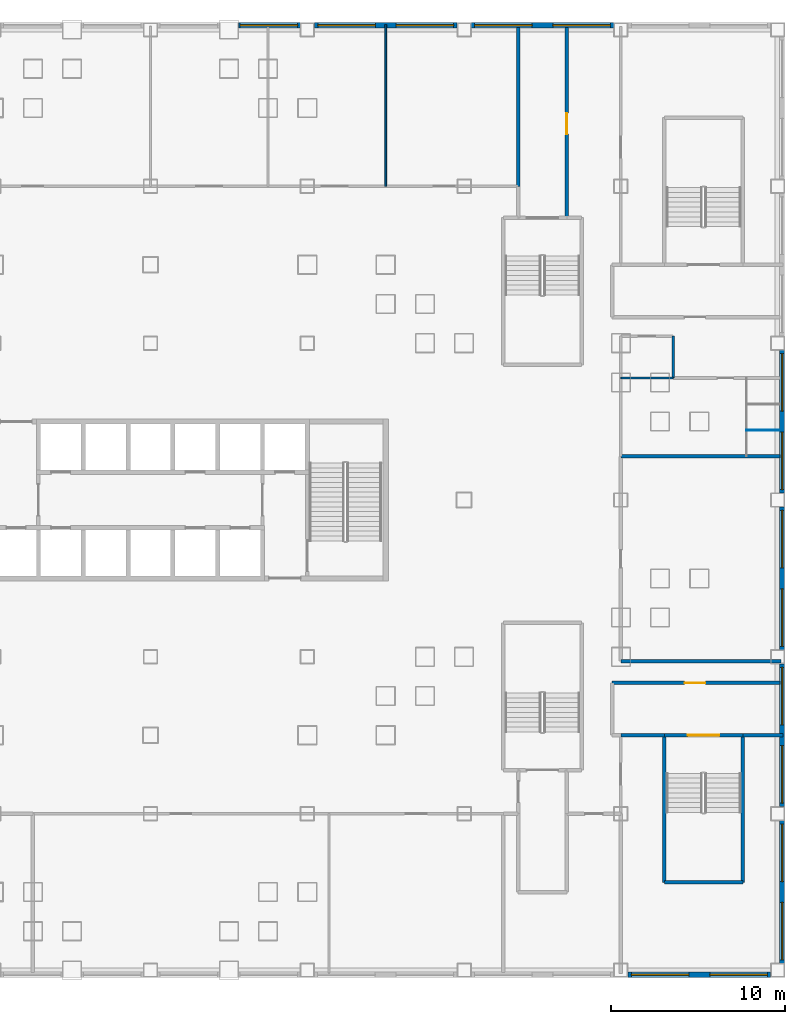
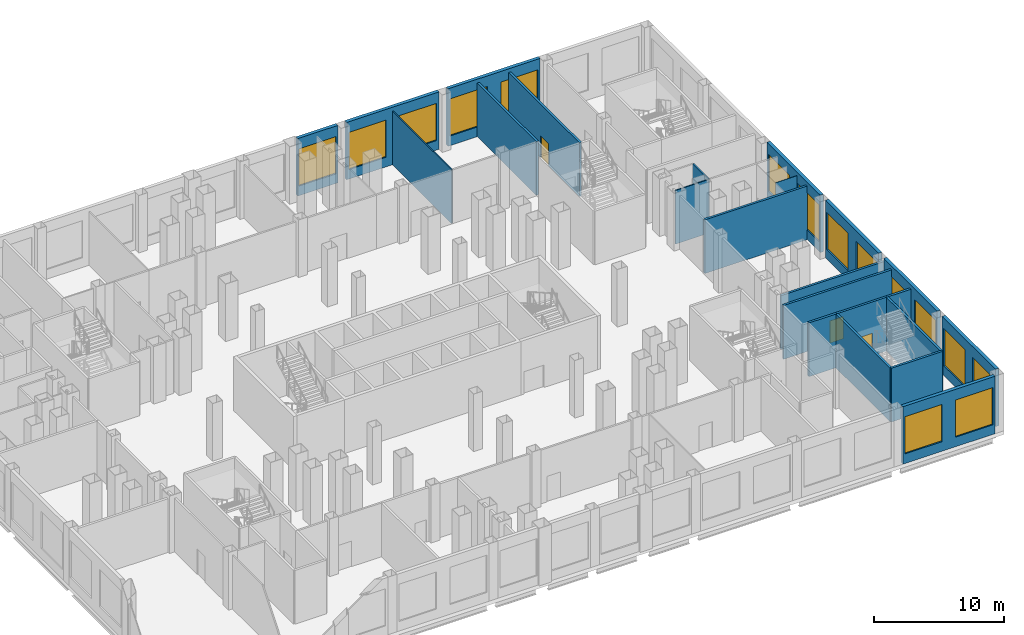
# One storey, part 7 of 26: 23 walls, 15 windows, 3 doors, 18 openings.
"""IFC4 building model written with IfcOpenShell, lengths in metres."""

from ifc_helpers import new_model, si_unit, direction, frame, frame_2d, origin, place, context, subcontext, project, spatial, rectangle, extrude, material, layer, layer_set, type_object, element, fill, save


model = new_model("IFC4")

# Units and contexts
model_context = context("Model", 3, precision=1e-05, world=origin(), true_north=direction((0.0, 1.0)))
body_context = subcontext(model_context, "Body", "Model", "MODEL_VIEW")
ifc_project = project(units=[si_unit("LENGTHUNIT", "METRE"), si_unit("AREAUNIT", "SQUARE_METRE"), si_unit("VOLUMEUNIT", "CUBIC_METRE"), si_unit("PLANEANGLEUNIT", "RADIAN"), si_unit("MASSUNIT", "GRAM", prefix="KILO")], contexts=[model_context])

# Site, building, storey
site_placement = place(None, origin())
site = spatial("IfcSite", under=ifc_project, at=site_placement, CompositionType="ELEMENT")
building_placement = place(site_placement, origin())
building = spatial("IfcBuilding", under=site, at=building_placement, Name="Caravel Reach Hotel and Residences", CompositionType="ELEMENT")
storey_placement = place(building_placement, frame((0.0, 0.0, 12.0)))
storey = spatial("IfcBuildingStorey", under=building, at=storey_placement, Name="L02", CompositionType="ELEMENT", Elevation=12.0)

# Walls
ifc_material_1 = material(Name="Autoclaved aerated block wall")
ifc_layer_1 = layer(ifc_material_1, 0.199951171875)
ifc_layer_set_1 = layer_set([ifc_layer_1], Name="Compartment wall 200 mm EI 120")
wall_type_1 = type_object("IfcWallType", Name="Compartment wall 200 mm EI 120", PredefinedType="PARTITIONING", material=ifc_layer_set_1)
wall_1_placement = place(storey_placement, frame((58.5, 13.5, 0.0), z_axis=(0.0, 0.0, 1.0), x_axis=(1.0, 0.0, 0.0)))
element("IfcWall", 1, at=wall_1_placement, inside=storey, type_object=wall_type_1, Name="L02 wall w038", PredefinedType="PARTITIONING", context=body_context, shape_type="SweptSolid", body=[
    extrude(rectangle(XDim=2.5, YDim=0.199951171875, at=frame_2d((1.25, 0.0))), origin(), (0.0, 0.0, 1.0), 5.050048828125),
])
wall_2_placement = place(storey_placement, frame((65.5, 13.5, 0.0), z_axis=(0.0, 0.0, 1.0), x_axis=(1.0, 0.0, 0.0)))
element("IfcWall", 2, at=wall_2_placement, inside=storey, type_object=wall_type_1, Name="L02 wall w039", PredefinedType="PARTITIONING", context=body_context, shape_type="SweptSolid", body=[
    extrude(rectangle(XDim=2.2900390625, YDim=0.199951171875, at=frame_2d((1.14501953125, 0.0))), origin(), (0.0, 0.0, 1.0), 5.050048828125),
])

# Wall, opening, door
wall_3_placement = place(storey_placement, frame((58.0, 16.5, 0.0), z_axis=(0.0, 0.0, 1.0), x_axis=(1.0, 0.0, 0.0)))
wall_3 = element("IfcWall", 3, at=wall_3_placement, inside=storey, type_object=wall_type_1, Name="L02 wall w040", PredefinedType="PARTITIONING", context=body_context, shape_type="SweptSolid", body=[
    extrude(rectangle(XDim=9.6201171875, YDim=0.199951171875, at=frame_2d((4.81005859375, 0.0))), origin(), (0.0, 0.0, 1.0), 5.050048828125),
])
opening_1_placement = place(wall_3_placement, frame((4.14990234375, 0.0, 0.0)))
opening_1 = element("IfcOpeningElement", 4, at=opening_1_placement, cuts=wall_3, Name="Opening D02-026", PredefinedType="OPENING", context=body_context, shape_type="SweptSolid", body=[
    extrude(rectangle(XDim=1.199951171875, YDim=2.10009765625, at=frame_2d((0.60009765625, 1.050048828125))), frame((0.0, 0.10986328125, 0.0), z_axis=(0.0, -1.0, 0.0), x_axis=(1.0, 0.0, 0.0)), (0.0, 0.0, 1.0), 0.219970703125),
])
ifc_material_2 = material(Name="Steel fire door leaf", Category="steel")
door_type_1 = type_object("IfcDoorType", Name="Fire lobby door 1200 x 2100 EI 90", OperationType="SINGLE_SWING_LEFT", PredefinedType="DOOR", material=ifc_material_2)
door_1_placement = place(opening_1_placement, origin())
door_1 = element("IfcDoor", 5, at=door_1_placement, inside=storey, type_object=door_type_1, Name="door D02-026", OperationType="SINGLE_SWING_LEFT", OverallHeight=2.10009765625, OverallWidth=1.199951171875, PredefinedType="DOOR", context=body_context, shape_type="SweptSolid", body=[
    extrude(rectangle(XDim=1.199951171875, YDim=2.10009765625, at=frame_2d((0.60009765625, 1.050048828125))), frame((0.0, 0.02490234375, 0.0), z_axis=(0.0, -1.0, 0.0), x_axis=(1.0, 0.0, 0.0)), (0.0, 0.0, 1.0), 0.050048828125),
])
fill(opening_1, door_1)

# Walls
wall_4_placement = place(storey_placement, frame((58.5, 17.75, 0.0), z_axis=(0.0, 0.0, 1.0), x_axis=(1.0, 0.0, 0.0)))
element("IfcWall", 6, at=wall_4_placement, inside=storey, type_object=wall_type_1, Name="L02 wall w042", PredefinedType="PARTITIONING", context=body_context, shape_type="SweptSolid", body=[
    extrude(rectangle(XDim=9.18994140625, YDim=0.199951171875, at=frame_2d((4.594970703125, 0.0))), origin(), (0.0, 0.0, 1.0), 5.050048828125),
])
for number, where, z_axis, x_axis, name in (
    (7, (58.5, 29.5, 0.0), (0.0, 0.0, 1.0), (1.0, 0.0, 0.0), "L02 wall w044"),
    (8, (52.60009765625, 45.0, 0.0), (0.0, 0.0, 1.0), (0.0, 1.0, 0.0), "L02 wall w068"),
):
    element("IfcWall", number, at=place(storey_placement, frame(where, z_axis=z_axis, x_axis=x_axis)), inside=storey, type_object=wall_type_1, Name=name, PredefinedType="PARTITIONING", context=body_context, shape_type="SweptSolid", body=[
        extrude(rectangle(XDim=9.1201171875, YDim=0.199951171875, at=frame_2d((4.56005859375, 0.0))), origin(), (0.0, 0.0, 1.0), 5.050048828125),
    ])

# Wall, opening, door
wall_5_placement = place(storey_placement, frame((55.39990234375, 43.199951171875, 0.0), z_axis=(0.0, 0.0, 1.0), x_axis=(0.0, 1.0, 0.0)))
wall_5 = element("IfcWall", 9, at=wall_5_placement, inside=storey, type_object=wall_type_1, Name="L02 wall w071", PredefinedType="PARTITIONING", context=body_context, shape_type="SweptSolid", body=[
    extrude(rectangle(XDim=10.920166015625, YDim=0.199951171875, at=frame_2d((5.4599609375, 0.0))), origin(), (0.0, 0.0, 1.0), 5.050048828125),
])
opening_2_placement = place(wall_5_placement, frame((4.800048828125, 0.0, 0.0)))
opening_2 = element("IfcOpeningElement", 10, at=opening_2_placement, cuts=wall_5, Name="Opening D02-016", PredefinedType="OPENING", context=body_context, shape_type="SweptSolid", body=[
    extrude(rectangle(XDim=1.199951171875, YDim=2.10009765625, at=frame_2d((0.60009765625, 1.050048828125))), frame((0.0, 0.10986328125, 0.0), z_axis=(0.0, -1.0, 0.0), x_axis=(1.0, 0.0, 0.0)), (0.0, 0.0, 1.0), 0.219970703125),
])
door_2_placement = place(opening_2_placement, origin())
door_2 = element("IfcDoor", 11, at=door_2_placement, inside=storey, type_object=door_type_1, Name="door D02-016", OperationType="SINGLE_SWING_RIGHT", OverallHeight=2.10009765625, OverallWidth=1.199951171875, PredefinedType="DOOR", context=body_context, shape_type="SweptSolid", body=[
    extrude(rectangle(XDim=1.199951171875, YDim=2.10009765625, at=frame_2d((0.60009765625, 1.050048828125))), frame((0.0, 0.02490234375, 0.0), z_axis=(0.0, -1.0, 0.0), x_axis=(1.0, 0.0, 0.0)), (0.0, 0.0, 1.0), 0.050048828125),
])
fill(opening_2, door_2)

# Wall
ifc_material_3 = material(Name="Gypsum board on steel stud, fire-rated", Category="steel")
ifc_layer_2 = layer(ifc_material_3, 0.14990234375)
ifc_layer_set_2 = layer_set([ifc_layer_2], Name="Corridor wall 150 mm EI 60")
wall_type_2 = type_object("IfcWallType", Name="Corridor wall 150 mm EI 60", PredefinedType="PARTITIONING", material=ifc_layer_set_2)
wall_6_placement = place(storey_placement, frame((61.5, 34.0, 0.0), z_axis=(0.0, 0.0, 1.0), x_axis=(0.0, 1.0, 0.0)))
element("IfcWall", 12, at=wall_6_placement, inside=storey, type_object=wall_type_2, Name="L02 wall w026", PredefinedType="PARTITIONING", context=body_context, shape_type="SweptSolid", body=[
    extrude(rectangle(XDim=2.39990234375, YDim=0.14990234375, at=frame_2d((1.199951171875, 0.0))), origin(), (0.0, 0.0, 1.0), 5.050048828125),
])

# Wall, openings, windows
ifc_material_4 = material(Name="Insulated wall, stone cladding", Category="masonry")
ifc_layer_3 = layer(ifc_material_4, 0.300048828125)
ifc_layer_set_3 = layer_set([ifc_layer_3], Name="EW2 Podium stone-clad wall")
wall_type_3 = type_object("IfcWallType", Name="EW2 Podium stone-clad wall", PredefinedType="SOLIDWALL", material=ifc_layer_set_3)
wall_7_placement = place(storey_placement, frame((67.75, 0.39990234375, 0.0), z_axis=(0.0, 0.0, 1.0), x_axis=(0.0, 1.0, 0.0)))
wall_7 = element("IfcWall", 13, at=wall_7_placement, inside=storey, type_object=wall_type_3, Name="External wall L02 E1.1", PredefinedType="SOLIDWALL", context=body_context, shape_type="SweptSolid", body=[
    extrude(rectangle(XDim=8.2001953125, YDim=0.300048828125, at=frame_2d((4.10009765625, 0.0))), origin(), (0.0, 0.0, 1.0), 5.39990234375),
])
opening_3_placement = place(wall_7_placement, frame((0.199951171875, 0.0, 0.89990234375)))
opening_3 = element("IfcOpeningElement", 14, at=opening_3_placement, cuts=wall_7, Name="Opening WN30", PredefinedType="OPENING", context=body_context, shape_type="SweptSolid", body=[
    extrude(rectangle(XDim=3.300048828125, YDim=3.5, at=frame_2d((1.64990234375, 1.75))), frame((0.0, 0.159912109375, 0.0), z_axis=(0.0, -1.0, 0.0), x_axis=(1.0, 0.0, 0.0)), (0.0, 0.0, 1.0), 0.320068359375),
])
opening_4_placement = place(wall_7_placement, frame((4.699951171875, 0.0, 0.89990234375)))
opening_4 = element("IfcOpeningElement", 15, at=opening_4_placement, cuts=wall_7, Name="Opening WN30", PredefinedType="OPENING", context=body_context, shape_type="SweptSolid", body=[
    extrude(rectangle(XDim=3.300048828125, YDim=3.5, at=frame_2d((1.64990234375, 1.75))), frame((0.0, 0.159912109375, 0.0), z_axis=(0.0, -1.0, 0.0), x_axis=(1.0, 0.0, 0.0)), (0.0, 0.0, 1.0), 0.320068359375),
])
ifc_material_5 = material(Name="Dark low-e glazing in black aluminium frame", Category="aluminium")
window_type = type_object("IfcWindowType", Name="Podium window 3300 x 3500", PartitioningType="SINGLE_PANEL", PredefinedType="WINDOW", material=ifc_material_5)
window_1_placement = place(opening_3_placement, origin())
window_1 = element("IfcWindow", 16, at=window_1_placement, inside=storey, type_object=window_type, Name="Window L02 E1.1.1", OverallHeight=3.5, OverallWidth=3.300048828125, PartitioningType="SINGLE_PANEL", PredefinedType="WINDOW", context=body_context, shape_type="SweptSolid", body=[
    extrude(rectangle(XDim=3.300048828125, YDim=3.5, at=frame_2d((1.64990234375, 1.75))), frame((0.0, 0.030029296875, 0.0), z_axis=(0.0, -1.0, 0.0), x_axis=(1.0, 0.0, 0.0)), (0.0, 0.0, 1.0), 0.06005859375),
])
fill(opening_3, window_1)
window_2_placement = place(opening_4_placement, origin())
window_2 = element("IfcWindow", 17, at=window_2_placement, inside=storey, type_object=window_type, Name="Window L02 E1.1.2", OverallHeight=3.5, OverallWidth=3.300048828125, PartitioningType="SINGLE_PANEL", PredefinedType="WINDOW", context=body_context, shape_type="SweptSolid", body=[
    extrude(rectangle(XDim=3.300048828125, YDim=3.5, at=frame_2d((1.64990234375, 1.75))), frame((0.0, 0.030029296875, 0.0), z_axis=(0.0, -1.0, 0.0), x_axis=(1.0, 0.0, 0.0)), (0.0, 0.0, 1.0), 0.06005859375),
])
fill(opening_4, window_2)

wall_8_placement = place(storey_placement, frame((67.75, 9.39990234375, 0.0), z_axis=(0.0, 0.0, 1.0), x_axis=(0.0, 1.0, 0.0)))
wall_8 = element("IfcWall", 18, at=wall_8_placement, inside=storey, type_object=wall_type_3, Name="External wall L02 E1.2", PredefinedType="SOLIDWALL", context=body_context, shape_type="SweptSolid", body=[
    extrude(rectangle(XDim=8.2001953125, YDim=0.300048828125, at=frame_2d((4.10009765625, 0.0))), origin(), (0.0, 0.0, 1.0), 5.39990234375),
])
opening_5_placement = place(wall_8_placement, frame((0.199951171875, 0.0, 0.89990234375)))
opening_5 = element("IfcOpeningElement", 19, at=opening_5_placement, cuts=wall_8, Name="Opening WN30", PredefinedType="OPENING", context=body_context, shape_type="SweptSolid", body=[
    extrude(rectangle(XDim=3.300048828125, YDim=3.5, at=frame_2d((1.64990234375, 1.75))), frame((0.0, 0.159912109375, 0.0), z_axis=(0.0, -1.0, 0.0), x_axis=(1.0, 0.0, 0.0)), (0.0, 0.0, 1.0), 0.320068359375),
])
opening_6_placement = place(wall_8_placement, frame((4.699951171875, 0.0, 0.89990234375)))
opening_6 = element("IfcOpeningElement", 20, at=opening_6_placement, cuts=wall_8, Name="Opening WN30", PredefinedType="OPENING", context=body_context, shape_type="SweptSolid", body=[
    extrude(rectangle(XDim=3.300048828125, YDim=3.5, at=frame_2d((1.64990234375, 1.75))), frame((0.0, 0.159912109375, 0.0), z_axis=(0.0, -1.0, 0.0), x_axis=(1.0, 0.0, 0.0)), (0.0, 0.0, 1.0), 0.320068359375),
])
window_3_placement = place(opening_5_placement, origin())
window_3 = element("IfcWindow", 21, at=window_3_placement, inside=storey, type_object=window_type, Name="Window L02 E1.2.1", OverallHeight=3.5, OverallWidth=3.300048828125, PartitioningType="SINGLE_PANEL", PredefinedType="WINDOW", context=body_context, shape_type="SweptSolid", body=[
    extrude(rectangle(XDim=3.300048828125, YDim=3.5, at=frame_2d((1.64990234375, 1.75))), frame((0.0, 0.030029296875, 0.0), z_axis=(0.0, -1.0, 0.0), x_axis=(1.0, 0.0, 0.0)), (0.0, 0.0, 1.0), 0.06005859375),
])
fill(opening_5, window_3)
window_4_placement = place(opening_6_placement, origin())
window_4 = element("IfcWindow", 22, at=window_4_placement, inside=storey, type_object=window_type, Name="Window L02 E1.2.2", OverallHeight=3.5, OverallWidth=3.300048828125, PartitioningType="SINGLE_PANEL", PredefinedType="WINDOW", context=body_context, shape_type="SweptSolid", body=[
    extrude(rectangle(XDim=3.300048828125, YDim=3.5, at=frame_2d((1.64990234375, 1.75))), frame((0.0, 0.030029296875, 0.0), z_axis=(0.0, -1.0, 0.0), x_axis=(1.0, 0.0, 0.0)), (0.0, 0.0, 1.0), 0.06005859375),
])
fill(opening_6, window_4)

wall_9_placement = place(storey_placement, frame((67.75, 18.39990234375, 0.0), z_axis=(0.0, 0.0, 1.0), x_axis=(0.0, 1.0, 0.0)))
wall_9 = element("IfcWall", 23, at=wall_9_placement, inside=storey, type_object=wall_type_3, Name="External wall L02 E1.3", PredefinedType="SOLIDWALL", context=body_context, shape_type="SweptSolid", body=[
    extrude(rectangle(XDim=8.2001953125, YDim=0.300048828125, at=frame_2d((4.10009765625, 0.0))), origin(), (0.0, 0.0, 1.0), 5.39990234375),
])
opening_7_placement = place(wall_9_placement, frame((0.199951171875, 0.0, 0.89990234375)))
opening_7 = element("IfcOpeningElement", 24, at=opening_7_placement, cuts=wall_9, Name="Opening WN30", PredefinedType="OPENING", context=body_context, shape_type="SweptSolid", body=[
    extrude(rectangle(XDim=3.300048828125, YDim=3.5, at=frame_2d((1.64990234375, 1.75))), frame((0.0, 0.159912109375, 0.0), z_axis=(0.0, -1.0, 0.0), x_axis=(1.0, 0.0, 0.0)), (0.0, 0.0, 1.0), 0.320068359375),
])
opening_8_placement = place(wall_9_placement, frame((4.699951171875, 0.0, 0.89990234375)))
opening_8 = element("IfcOpeningElement", 25, at=opening_8_placement, cuts=wall_9, Name="Opening WN30", PredefinedType="OPENING", context=body_context, shape_type="SweptSolid", body=[
    extrude(rectangle(XDim=3.300048828125, YDim=3.5, at=frame_2d((1.64990234375, 1.75))), frame((0.0, 0.159912109375, 0.0), z_axis=(0.0, -1.0, 0.0), x_axis=(1.0, 0.0, 0.0)), (0.0, 0.0, 1.0), 0.320068359375),
])
window_5_placement = place(opening_7_placement, origin())
window_5 = element("IfcWindow", 26, at=window_5_placement, inside=storey, type_object=window_type, Name="Window L02 E1.3.1", OverallHeight=3.5, OverallWidth=3.300048828125, PartitioningType="SINGLE_PANEL", PredefinedType="WINDOW", context=body_context, shape_type="SweptSolid", body=[
    extrude(rectangle(XDim=3.300048828125, YDim=3.5, at=frame_2d((1.64990234375, 1.75))), frame((0.0, 0.030029296875, 0.0), z_axis=(0.0, -1.0, 0.0), x_axis=(1.0, 0.0, 0.0)), (0.0, 0.0, 1.0), 0.06005859375),
])
fill(opening_7, window_5)
window_6_placement = place(opening_8_placement, origin())
window_6 = element("IfcWindow", 27, at=window_6_placement, inside=storey, type_object=window_type, Name="Window L02 E1.3.2", OverallHeight=3.5, OverallWidth=3.300048828125, PartitioningType="SINGLE_PANEL", PredefinedType="WINDOW", context=body_context, shape_type="SweptSolid", body=[
    extrude(rectangle(XDim=3.300048828125, YDim=3.5, at=frame_2d((1.64990234375, 1.75))), frame((0.0, 0.030029296875, 0.0), z_axis=(0.0, -1.0, 0.0), x_axis=(1.0, 0.0, 0.0)), (0.0, 0.0, 1.0), 0.06005859375),
])
fill(opening_8, window_6)

wall_10_placement = place(storey_placement, frame((67.75, 27.39990234375, 0.0), z_axis=(0.0, 0.0, 1.0), x_axis=(0.0, 1.0, 0.0)))
wall_10 = element("IfcWall", 28, at=wall_10_placement, inside=storey, type_object=wall_type_3, Name="External wall L02 E1.4", PredefinedType="SOLIDWALL", context=body_context, shape_type="SweptSolid", body=[
    extrude(rectangle(XDim=8.2001953125, YDim=0.300048828125, at=frame_2d((4.10009765625, 0.0))), origin(), (0.0, 0.0, 1.0), 5.39990234375),
])
opening_9_placement = place(wall_10_placement, frame((0.199951171875, 0.0, 0.89990234375)))
opening_9 = element("IfcOpeningElement", 29, at=opening_9_placement, cuts=wall_10, Name="Opening WN30", PredefinedType="OPENING", context=body_context, shape_type="SweptSolid", body=[
    extrude(rectangle(XDim=3.300048828125, YDim=3.5, at=frame_2d((1.64990234375, 1.75))), frame((0.0, 0.159912109375, 0.0), z_axis=(0.0, -1.0, 0.0), x_axis=(1.0, 0.0, 0.0)), (0.0, 0.0, 1.0), 0.320068359375),
])
opening_10_placement = place(wall_10_placement, frame((4.699951171875, 0.0, 0.89990234375)))
opening_10 = element("IfcOpeningElement", 30, at=opening_10_placement, cuts=wall_10, Name="Opening WN30", PredefinedType="OPENING", context=body_context, shape_type="SweptSolid", body=[
    extrude(rectangle(XDim=3.300048828125, YDim=3.5, at=frame_2d((1.64990234375, 1.75))), frame((0.0, 0.159912109375, 0.0), z_axis=(0.0, -1.0, 0.0), x_axis=(1.0, 0.0, 0.0)), (0.0, 0.0, 1.0), 0.320068359375),
])
window_7_placement = place(opening_9_placement, origin())
window_7 = element("IfcWindow", 31, at=window_7_placement, inside=storey, type_object=window_type, Name="Window L02 E1.4.1", OverallHeight=3.5, OverallWidth=3.300048828125, PartitioningType="SINGLE_PANEL", PredefinedType="WINDOW", context=body_context, shape_type="SweptSolid", body=[
    extrude(rectangle(XDim=3.300048828125, YDim=3.5, at=frame_2d((1.64990234375, 1.75))), frame((0.0, 0.030029296875, 0.0), z_axis=(0.0, -1.0, 0.0), x_axis=(1.0, 0.0, 0.0)), (0.0, 0.0, 1.0), 0.06005859375),
])
fill(opening_9, window_7)
window_8_placement = place(opening_10_placement, origin())
window_8 = element("IfcWindow", 32, at=window_8_placement, inside=storey, type_object=window_type, Name="Window L02 E1.4.2", OverallHeight=3.5, OverallWidth=3.300048828125, PartitioningType="SINGLE_PANEL", PredefinedType="WINDOW", context=body_context, shape_type="SweptSolid", body=[
    extrude(rectangle(XDim=3.300048828125, YDim=3.5, at=frame_2d((1.64990234375, 1.75))), frame((0.0, 0.030029296875, 0.0), z_axis=(0.0, -1.0, 0.0), x_axis=(1.0, 0.0, 0.0)), (0.0, 0.0, 1.0), 0.06005859375),
])
fill(opening_10, window_8)

wall_11_placement = place(storey_placement, frame((58.10009765625, 54.25, 0.0), z_axis=(0.0, 0.0, 1.0), x_axis=(-1.0, 0.0, 0.0)))
wall_11 = element("IfcWall", 33, at=wall_11_placement, inside=storey, type_object=wall_type_3, Name="External wall L02 N2.2", PredefinedType="SOLIDWALL", context=body_context, shape_type="SweptSolid", body=[
    extrude(rectangle(XDim=8.2001953125, YDim=0.300048828125, at=frame_2d((4.10009765625, 0.0))), origin(), (0.0, 0.0, 1.0), 5.39990234375),
])
opening_11_placement = place(wall_11_placement, frame((0.199951171875, 0.0, 0.89990234375)))
opening_11 = element("IfcOpeningElement", 34, at=opening_11_placement, cuts=wall_11, Name="Opening WN30", PredefinedType="OPENING", context=body_context, shape_type="SweptSolid", body=[
    extrude(rectangle(XDim=3.300048828125, YDim=3.5, at=frame_2d((1.64990234375, 1.75))), frame((0.0, 0.159912109375, 0.0), z_axis=(0.0, -1.0, 0.0), x_axis=(1.0, 0.0, 0.0)), (0.0, 0.0, 1.0), 0.320068359375),
])
opening_12_placement = place(wall_11_placement, frame((4.699951171875, 0.0, 0.89990234375)))
opening_12 = element("IfcOpeningElement", 35, at=opening_12_placement, cuts=wall_11, Name="Opening WN30", PredefinedType="OPENING", context=body_context, shape_type="SweptSolid", body=[
    extrude(rectangle(XDim=3.300048828125, YDim=3.5, at=frame_2d((1.64990234375, 1.75))), frame((0.0, 0.159912109375, 0.0), z_axis=(0.0, -1.0, 0.0), x_axis=(1.0, 0.0, 0.0)), (0.0, 0.0, 1.0), 0.320068359375),
])
window_9_placement = place(opening_11_placement, origin())
window_9 = element("IfcWindow", 36, at=window_9_placement, inside=storey, type_object=window_type, Name="Window L02 N2.2.1", OverallHeight=3.5, OverallWidth=3.300048828125, PartitioningType="SINGLE_PANEL", PredefinedType="WINDOW", context=body_context, shape_type="SweptSolid", body=[
    extrude(rectangle(XDim=3.300048828125, YDim=3.5, at=frame_2d((1.64990234375, 1.75))), frame((0.0, 0.030029296875, 0.0), z_axis=(0.0, -1.0, 0.0), x_axis=(1.0, 0.0, 0.0)), (0.0, 0.0, 1.0), 0.06005859375),
])
fill(opening_11, window_9)
window_10_placement = place(opening_12_placement, origin())
window_10 = element("IfcWindow", 37, at=window_10_placement, inside=storey, type_object=window_type, Name="Window L02 N2.2.2", OverallHeight=3.5, OverallWidth=3.300048828125, PartitioningType="SINGLE_PANEL", PredefinedType="WINDOW", context=body_context, shape_type="SweptSolid", body=[
    extrude(rectangle(XDim=3.300048828125, YDim=3.5, at=frame_2d((1.64990234375, 1.75))), frame((0.0, 0.030029296875, 0.0), z_axis=(0.0, -1.0, 0.0), x_axis=(1.0, 0.0, 0.0)), (0.0, 0.0, 1.0), 0.06005859375),
])
fill(opening_12, window_10)

wall_12_placement = place(storey_placement, frame((49.10009765625, 54.25, 0.0), z_axis=(0.0, 0.0, 1.0), x_axis=(-1.0, 0.0, 0.0)))
wall_12 = element("IfcWall", 38, at=wall_12_placement, inside=storey, type_object=wall_type_3, Name="External wall L02 N2.3", PredefinedType="SOLIDWALL", context=body_context, shape_type="SweptSolid", body=[
    extrude(rectangle(XDim=8.2001953125, YDim=0.300048828125, at=frame_2d((4.10009765625, 0.0))), origin(), (0.0, 0.0, 1.0), 5.39990234375),
])
opening_13_placement = place(wall_12_placement, frame((0.199951171875, 0.0, 0.89990234375)))
opening_13 = element("IfcOpeningElement", 39, at=opening_13_placement, cuts=wall_12, Name="Opening WN30", PredefinedType="OPENING", context=body_context, shape_type="SweptSolid", body=[
    extrude(rectangle(XDim=3.300048828125, YDim=3.5, at=frame_2d((1.64990234375, 1.75))), frame((0.0, 0.159912109375, 0.0), z_axis=(0.0, -1.0, 0.0), x_axis=(1.0, 0.0, 0.0)), (0.0, 0.0, 1.0), 0.320068359375),
])
opening_14_placement = place(wall_12_placement, frame((4.699951171875, 0.0, 0.89990234375)))
opening_14 = element("IfcOpeningElement", 40, at=opening_14_placement, cuts=wall_12, Name="Opening WN30", PredefinedType="OPENING", context=body_context, shape_type="SweptSolid", body=[
    extrude(rectangle(XDim=3.300048828125, YDim=3.5, at=frame_2d((1.64990234375, 1.75))), frame((0.0, 0.159912109375, 0.0), z_axis=(0.0, -1.0, 0.0), x_axis=(1.0, 0.0, 0.0)), (0.0, 0.0, 1.0), 0.320068359375),
])
window_11_placement = place(opening_13_placement, origin())
window_11 = element("IfcWindow", 41, at=window_11_placement, inside=storey, type_object=window_type, Name="Window L02 N2.3.1", OverallHeight=3.5, OverallWidth=3.300048828125, PartitioningType="SINGLE_PANEL", PredefinedType="WINDOW", context=body_context, shape_type="SweptSolid", body=[
    extrude(rectangle(XDim=3.300048828125, YDim=3.5, at=frame_2d((1.64990234375, 1.75))), frame((0.0, 0.030029296875, 0.0), z_axis=(0.0, -1.0, 0.0), x_axis=(1.0, 0.0, 0.0)), (0.0, 0.0, 1.0), 0.06005859375),
])
fill(opening_13, window_11)
window_12_placement = place(opening_14_placement, origin())
window_12 = element("IfcWindow", 42, at=window_12_placement, inside=storey, type_object=window_type, Name="Window L02 N2.3.2", OverallHeight=3.5, OverallWidth=3.300048828125, PartitioningType="SINGLE_PANEL", PredefinedType="WINDOW", context=body_context, shape_type="SweptSolid", body=[
    extrude(rectangle(XDim=3.300048828125, YDim=3.5, at=frame_2d((1.64990234375, 1.75))), frame((0.0, 0.030029296875, 0.0), z_axis=(0.0, -1.0, 0.0), x_axis=(1.0, 0.0, 0.0)), (0.0, 0.0, 1.0), 0.06005859375),
])
fill(opening_14, window_12)

# Wall, opening, window
wall_13_placement = place(storey_placement, frame((40.10009765625, 54.25, 0.0), z_axis=(0.0, 0.0, 1.0), x_axis=(-1.0, 0.0, 0.0)))
wall_13 = element("IfcWall", 43, at=wall_13_placement, inside=storey, type_object=wall_type_3, Name="External wall L02 N2.4", PredefinedType="SOLIDWALL", context=body_context, shape_type="SweptSolid", body=[
    extrude(rectangle(XDim=3.550048828125, YDim=0.300048828125, at=frame_2d((1.77490234375, 0.0))), origin(), (0.0, 0.0, 1.0), 5.39990234375),
])
opening_15_placement = place(wall_13_placement, frame((0.14990234375, 0.0, 0.89990234375)))
opening_15 = element("IfcOpeningElement", 44, at=opening_15_placement, cuts=wall_13, Name="Opening WN30", PredefinedType="OPENING", context=body_context, shape_type="SweptSolid", body=[
    extrude(rectangle(XDim=3.300048828125, YDim=3.5, at=frame_2d((1.64990234375, 1.75))), frame((0.0, 0.159912109375, 0.0), z_axis=(0.0, -1.0, 0.0), x_axis=(1.0, 0.0, 0.0)), (0.0, 0.0, 1.0), 0.320068359375),
])
window_13_placement = place(opening_15_placement, origin())
window_13 = element("IfcWindow", 45, at=window_13_placement, inside=storey, type_object=window_type, Name="Window L02 N2.4.1", OverallHeight=3.5, OverallWidth=3.300048828125, PartitioningType="SINGLE_PANEL", PredefinedType="WINDOW", context=body_context, shape_type="SweptSolid", body=[
    extrude(rectangle(XDim=3.300048828125, YDim=3.5, at=frame_2d((1.64990234375, 1.75))), frame((0.0, 0.030029296875, 0.0), z_axis=(0.0, -1.0, 0.0), x_axis=(1.0, 0.0, 0.0)), (0.0, 0.0, 1.0), 0.06005859375),
])
fill(opening_15, window_13)

# Wall, openings, windows
wall_14_placement = place(storey_placement, frame((58.89990234375, -0.25, 0.0), z_axis=(0.0, 0.0, 1.0), x_axis=(1.0, 0.0, 0.0)))
wall_14 = element("IfcWall", 46, at=wall_14_placement, inside=storey, type_object=wall_type_3, Name="External wall L02 S4.10", PredefinedType="SOLIDWALL", context=body_context, shape_type="SweptSolid", body=[
    extrude(rectangle(XDim=8.2001953125, YDim=0.300048828125, at=frame_2d((4.10009765625, 0.0))), origin(), (0.0, 0.0, 1.0), 5.39990234375),
])
opening_16_placement = place(wall_14_placement, frame((0.199951171875, 0.0, 0.89990234375)))
opening_16 = element("IfcOpeningElement", 47, at=opening_16_placement, cuts=wall_14, Name="Opening WN30", PredefinedType="OPENING", context=body_context, shape_type="SweptSolid", body=[
    extrude(rectangle(XDim=3.300048828125, YDim=3.5, at=frame_2d((1.64990234375, 1.75))), frame((0.0, 0.159912109375, 0.0), z_axis=(0.0, -1.0, 0.0), x_axis=(1.0, 0.0, 0.0)), (0.0, 0.0, 1.0), 0.320068359375),
])
opening_17_placement = place(wall_14_placement, frame((4.699951171875, 0.0, 0.89990234375)))
opening_17 = element("IfcOpeningElement", 48, at=opening_17_placement, cuts=wall_14, Name="Opening WN30", PredefinedType="OPENING", context=body_context, shape_type="SweptSolid", body=[
    extrude(rectangle(XDim=3.300048828125, YDim=3.5, at=frame_2d((1.64990234375, 1.75))), frame((0.0, 0.159912109375, 0.0), z_axis=(0.0, -1.0, 0.0), x_axis=(1.0, 0.0, 0.0)), (0.0, 0.0, 1.0), 0.320068359375),
])
window_14_placement = place(opening_16_placement, origin())
window_14 = element("IfcWindow", 49, at=window_14_placement, inside=storey, type_object=window_type, Name="Window L02 S4.10.1", OverallHeight=3.5, OverallWidth=3.300048828125, PartitioningType="SINGLE_PANEL", PredefinedType="WINDOW", context=body_context, shape_type="SweptSolid", body=[
    extrude(rectangle(XDim=3.300048828125, YDim=3.5, at=frame_2d((1.64990234375, 1.75))), frame((0.0, 0.030029296875, 0.0), z_axis=(0.0, -1.0, 0.0), x_axis=(1.0, 0.0, 0.0)), (0.0, 0.0, 1.0), 0.06005859375),
])
fill(opening_16, window_14)
window_15_placement = place(opening_17_placement, origin())
window_15 = element("IfcWindow", 50, at=window_15_placement, inside=storey, type_object=window_type, Name="Window L02 S4.10.2", OverallHeight=3.5, OverallWidth=3.300048828125, PartitioningType="SINGLE_PANEL", PredefinedType="WINDOW", context=body_context, shape_type="SweptSolid", body=[
    extrude(rectangle(XDim=3.300048828125, YDim=3.5, at=frame_2d((1.64990234375, 1.75))), frame((0.0, 0.030029296875, 0.0), z_axis=(0.0, -1.0, 0.0), x_axis=(1.0, 0.0, 0.0)), (0.0, 0.0, 1.0), 0.06005859375),
])
fill(opening_17, window_15)

# Walls
ifc_material_6 = material(Name="Gypsum board on steel stud", Category="steel")
ifc_layer_4 = layer(ifc_material_6, 0.10009765625)
ifc_layer_set_4 = layer_set([ifc_layer_4], Name="Partition 100 mm")
wall_type_4 = type_object("IfcWallType", Name="Partition 100 mm", PredefinedType="PARTITIONING", material=ifc_layer_set_4)
wall_15_placement = place(storey_placement, frame((58.5, 34.0, 0.0), z_axis=(0.0, 0.0, 1.0), x_axis=(1.0, 0.0, 0.0)))
element("IfcWall", 51, at=wall_15_placement, inside=storey, type_object=wall_type_4, Name="L02 wall w028", PredefinedType="PARTITIONING", context=body_context, shape_type="SweptSolid", body=[
    extrude(rectangle(XDim=3.0, YDim=0.10009765625, at=frame_2d((1.5, 0.0))), origin(), (0.0, 0.0, 1.0), 5.050048828125),
])
wall_16_placement = place(storey_placement, frame((45.0, 45.0, 0.0), z_axis=(0.0, 0.0, 1.0), x_axis=(0.0, 1.0, 0.0)))
element("IfcWall", 52, at=wall_16_placement, inside=storey, type_object=wall_type_4, Name="L02 wall w036", PredefinedType="PARTITIONING", context=body_context, shape_type="SweptSolid", body=[
    extrude(rectangle(XDim=9.2900390625, YDim=0.10009765625, at=frame_2d((4.64501953125, 0.0))), origin(), (0.0, 0.0, 1.0), 5.050048828125),
])

# Wall, opening, door
ifc_material_7 = material(Name="Concrete C60", Category="concrete")
ifc_layer_5 = layer(ifc_material_7, 0.199951171875)
ifc_layer_set_5 = layer_set([ifc_layer_5], Name="Stair enclosure wall 200 mm EI 120")
wall_type_5 = type_object("IfcWallType", Name="Stair enclosure wall 200 mm EI 120", PredefinedType="SHEAR", material=ifc_layer_set_5)
wall_17_placement = place(storey_placement, frame((61.0, 13.5, 0.0), z_axis=(0.0, 0.0, 1.0), x_axis=(1.0, 0.0, 0.0)))
wall_17 = element("IfcWall", 53, at=wall_17_placement, inside=storey, type_object=wall_type_5, Name="L02 wall w088", PredefinedType="SHEAR", context=body_context, shape_type="SweptSolid", body=[
    extrude(rectangle(XDim=4.5, YDim=0.199951171875, at=frame_2d((2.25, 0.0))), origin(), (0.0, 0.0, 1.0), 5.050048828125),
])
opening_18_placement = place(wall_17_placement, frame((1.35009765625, 0.0, 0.0)))
opening_18 = element("IfcOpeningElement", 54, at=opening_18_placement, cuts=wall_17, Name="Opening D02-027", PredefinedType="OPENING", context=body_context, shape_type="SweptSolid", body=[
    extrude(rectangle(XDim=1.800048828125, YDim=2.10009765625, at=frame_2d((0.89990234375, 1.050048828125))), frame((0.0, 0.10986328125, 0.0), z_axis=(0.0, -1.0, 0.0), x_axis=(1.0, 0.0, 0.0)), (0.0, 0.0, 1.0), 0.219970703125),
])
ifc_material_8 = material(Name="Steel fire door leaf", Category="steel")
door_type_2 = type_object("IfcDoorType", Name="Stair door pair 1800 x 2100 EI 90", OperationType="DOUBLE_DOOR_SINGLE_SWING", PredefinedType="DOOR", material=ifc_material_8)
door_3_placement = place(opening_18_placement, origin())
door_3 = element("IfcDoor", 55, at=door_3_placement, inside=storey, type_object=door_type_2, Name="door D02-027", OperationType="DOUBLE_DOOR_SINGLE_SWING", OverallHeight=2.10009765625, OverallWidth=1.800048828125, PredefinedType="DOOR", context=body_context, shape_type="SweptSolid", body=[
    extrude(rectangle(XDim=1.800048828125, YDim=2.10009765625, at=frame_2d((0.89990234375, 1.050048828125))), frame((0.0, 0.02490234375, 0.0), z_axis=(0.0, -1.0, 0.0), x_axis=(1.0, 0.0, 0.0)), (0.0, 0.0, 1.0), 0.050048828125),
])
fill(opening_18, door_3)

# Walls
wall_18_placement = place(storey_placement, frame((61.0, 5.050048828125, 0.0), z_axis=(0.0, 0.0, 1.0), x_axis=(1.0, 0.0, 0.0)))
element("IfcWall", 56, at=wall_18_placement, inside=storey, type_object=wall_type_5, Name="L02 wall w103", PredefinedType="SHEAR", context=body_context, shape_type="SweptSolid", body=[
    extrude(rectangle(XDim=4.5, YDim=0.199951171875, at=frame_2d((2.25, 0.0))), origin(), (0.0, 0.0, 1.0), 5.050048828125),
])
for number, where, z_axis, x_axis, name in (
    (57, (61.0, 5.050048828125, 0.0), (0.0, 0.0, 1.0), (0.0, 1.0, 0.0), "L02 wall w116"),
    (58, (65.5, 5.050048828125, 0.0), (0.0, 0.0, 1.0), (0.0, 1.0, 0.0), "L02 wall w118"),
):
    element("IfcWall", number, at=place(storey_placement, frame(where, z_axis=z_axis, x_axis=x_axis)), inside=storey, type_object=wall_type_5, Name=name, PredefinedType="SHEAR", context=body_context, shape_type="SweptSolid", body=[
        extrude(rectangle(XDim=8.449951171875, YDim=0.199951171875, at=frame_2d((4.22509765625, 0.0))), origin(), (0.0, 0.0, 1.0), 5.050048828125),
    ])
ifc_material_9 = material(Name="Laminate cubicle panel")
ifc_layer_6 = layer(ifc_material_9, 0.0400390625)
ifc_layer_set_6 = layer_set([ifc_layer_6], Name="WC cubicle partition 40 mm")
wall_type_6 = type_object("IfcWallType", Name="WC cubicle partition 40 mm", PredefinedType="PARTITIONING", material=ifc_layer_set_6)
wall_19_placement = place(storey_placement, frame((67.7900390625, 31.0, 0.0), z_axis=(0.0, 0.0, 1.0), x_axis=(-1.0, 0.0, 0.0)))
element("IfcWall", 59, at=wall_19_placement, inside=storey, type_object=wall_type_6, Name="L02 wall cbr08.d1", PredefinedType="PARTITIONING", context=body_context, shape_type="SweptSolid", body=[
    extrude(rectangle(XDim=2.090087890625, YDim=0.0400390625, at=frame_2d((1.044921875, 0.0))), origin(), (0.0, 0.0, 1.0), 5.050048828125),
])

save(model, "model.ifc")
